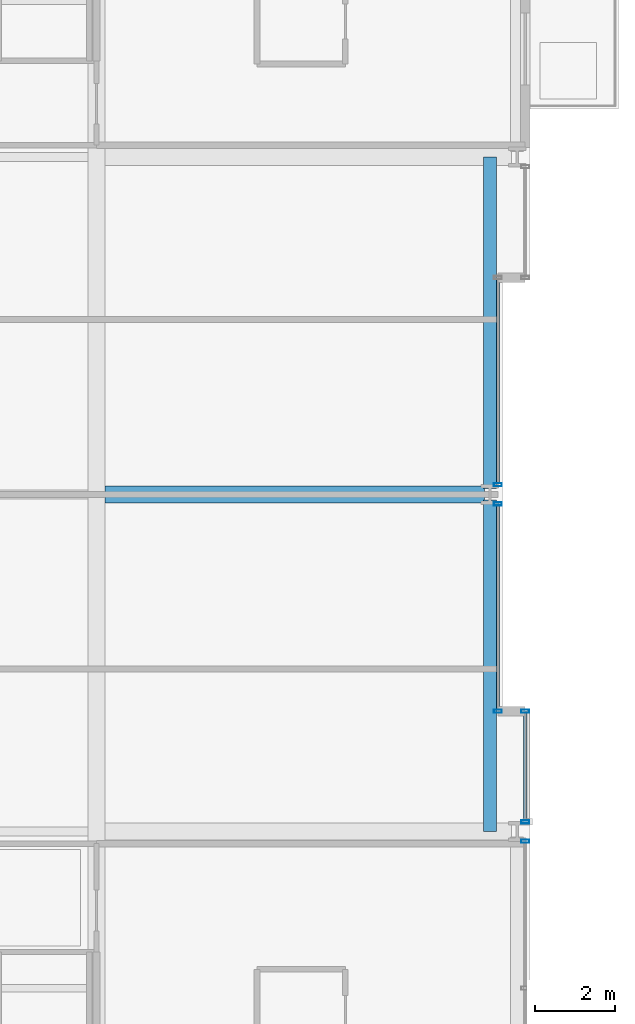
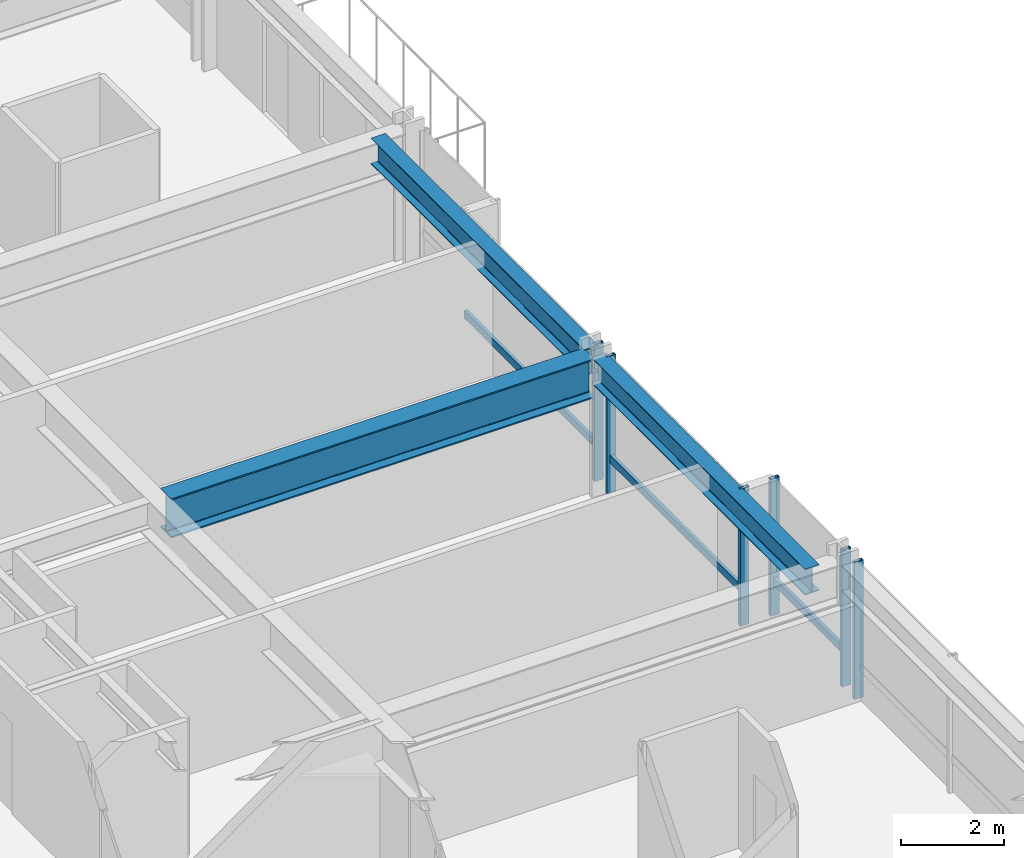
# One storey, part 16 of 38: 9 members, 3 beams, 4 elements without a shape of their own.
"""IFC4 building model written with IfcOpenShell, lengths in metres."""

from ifc_helpers import new_model, si_unit, direction, frame, origin, origin_2d, place, context, subcontext, project, spatial, hollow_rectangle, i_section, extrude, material, layer, layer_set, material_profile, profile_set, type_object, element, aggregate, save


model = new_model("IFC4")

# Units and contexts
model_context = context("Model", 3, precision=1e-05, world=origin(), true_north=direction((0.0, 1.0)))
body_context = subcontext(model_context, "Body", "Model", "MODEL_VIEW")
ifc_project = project(units=[si_unit("LENGTHUNIT", "METRE"), si_unit("AREAUNIT", "SQUARE_METRE"), si_unit("VOLUMEUNIT", "CUBIC_METRE"), si_unit("PLANEANGLEUNIT", "RADIAN"), si_unit("MASSUNIT", "GRAM", prefix="KILO")], contexts=[model_context])

# Site, building, storey
site_placement = place(None, origin())
site = spatial("IfcSite", under=ifc_project, at=site_placement, CompositionType="ELEMENT")
building_placement = place(site_placement, origin())
building = spatial("IfcBuilding", under=site, at=building_placement, Name="Drelvath Grand Hotel", CompositionType="ELEMENT")
storey_placement = place(building_placement, frame((0.0, 0.0, 47.199951171875)))
storey = spatial("IfcBuildingStorey", under=building, at=storey_placement, Name="L10", CompositionType="ELEMENT", Elevation=47.199951171875)

# Curtain wall, member
ifc_material_1 = material(Name="Warm Bronze Anodised Aluminium Frame", Category="aluminium")
ifc_layer = layer(ifc_material_1, 0.199951171875)
ifc_layer_set = layer_set([ifc_layer], Name="Warm Bronze Anodised Aluminium Frame")
curtain_wall_type = type_object("IfcCurtainWallType", Name="Stick Curtain Wall CW-02 Warm Bronze Low-Rise", PredefinedType="NOTDEFINED", material=ifc_layer_set)
curtain_wall_1_placement = place(storey_placement, origin())
curtain_wall_1 = element("IfcCurtainWall", 1, at=curtain_wall_1_placement, inside=storey, type_object=curtain_wall_type, Name="L10 CW-02 Curtain Wall CW02-L10-EM1", PredefinedType="NOTDEFINED")
ifc_material_profile_1 = material_profile(ifc_material_1, hollow_rectangle(XDim=0.074951171875, YDim=0.179931640625, WallThickness=0.0048828125, at=origin_2d()), Name="HSS180X75X5")
ifc_profile_set_1 = profile_set([ifc_material_profile_1], Name="Warm Bronze Anodised Aluminium Frame")
member_type_1 = type_object("IfcMemberType", Name="Curtain Wall Horizontal Transom CW-02 HSS180X75X5", PredefinedType="USERDEFINED", material=ifc_profile_set_1)
member_1_placement = place(storey_placement, frame((26.199951171875, 26.718994140625, 0.81005859375), z_axis=(0.0, -1.0, 0.0), x_axis=(1.0, 0.0, 0.0)))
member_1 = element("IfcMember", 2, at=member_1_placement, type_object=member_type_1, Name="CW02-L10-EM1 Sill Transom", ObjectType="TRANSOM", PredefinedType="USERDEFINED", context=body_context, shape_type="SweptSolid", body=[
    extrude(hollow_rectangle(XDim=0.074951171875, YDim=0.179931640625, WallThickness=0.0048828125, at=origin_2d()), origin(), (0.0, 0.0, 1.0), 5.0791015625),
])

curtain_wall_2_placement = place(storey_placement, origin())
curtain_wall_2 = element("IfcCurtainWall", 3, at=curtain_wall_2_placement, inside=storey, type_object=curtain_wall_type, Name="L10 CW-02 Curtain Wall CW02-L10-EM2", PredefinedType="NOTDEFINED")
member_2_placement = place(storey_placement, frame((26.199951171875, 32.360107421875, 0.81005859375), z_axis=(0.0, -1.0, 0.0), x_axis=(1.0, 0.0, 0.0)))
member_2 = element("IfcMember", 4, at=member_2_placement, type_object=member_type_1, Name="CW02-L10-EM2 Sill Transom", ObjectType="TRANSOM", PredefinedType="USERDEFINED", context=body_context, shape_type="SweptSolid", body=[
    extrude(hollow_rectangle(XDim=0.074951171875, YDim=0.179931640625, WallThickness=0.0048828125, at=origin_2d()), origin(), (0.0, 0.0, 1.0), 5.0791015625),
])

curtain_wall_3_placement = place(storey_placement, origin())
curtain_wall_3 = element("IfcCurtainWall", 5, at=curtain_wall_3_placement, inside=storey, type_object=curtain_wall_type, Name="L10 CW-02 Curtain Wall CW02-L10-ES3", PredefinedType="NOTDEFINED")
member_3_placement = place(storey_placement, frame((26.8798828125, 21.56005859375, 0.81005859375), z_axis=(0.0, -1.0, 0.0), x_axis=(1.0, 0.0, 0.0)))
member_3 = element("IfcMember", 6, at=member_3_placement, type_object=member_type_1, Name="CW02-L10-ES3 Sill Transom", ObjectType="TRANSOM", PredefinedType="USERDEFINED", context=body_context, shape_type="SweptSolid", body=[
    extrude(hollow_rectangle(XDim=0.074951171875, YDim=0.179931640625, WallThickness=0.0048828125, at=origin_2d()), origin(), (0.0, 0.0, 1.0), 2.67919921875),
])

# Member
ifc_material_profile_2 = material_profile(ifc_material_1, hollow_rectangle(XDim=0.080078125, YDim=0.199951171875, WallThickness=0.0048828125, at=origin_2d()), Name="HSS200X80X5")
ifc_profile_set_2 = profile_set([ifc_material_profile_2], Name="Warm Bronze Anodised Aluminium Frame")
member_type_2 = type_object("IfcMemberType", Name="Curtain Wall Vertical Mullion CW-02 HSS200X80X5", PredefinedType="MULLION", material=ifc_profile_set_2)
member_4_placement = place(storey_placement, frame((26.199951171875, 26.759033203125, 0.0), z_axis=(0.0, 0.0, 1.0), x_axis=(0.0, 1.0, 0.0)))
member_4 = element("IfcMember", 7, at=member_4_placement, type_object=member_type_2, Name="CW02-L10-EM1 Mullion 1", PredefinedType="MULLION", context=body_context, shape_type="SweptSolid", body=[
    extrude(hollow_rectangle(XDim=0.080078125, YDim=0.199951171875, WallThickness=0.0048828125, at=origin_2d()), origin(), (0.0, 0.0, 1.0), 3.239990234375),
])

member_5_placement = place(storey_placement, frame((26.199951171875, 21.60009765625, 0.0), z_axis=(0.0, 0.0, 1.0), x_axis=(0.0, 1.0, 0.0)))
member_5 = element("IfcMember", 8, at=member_5_placement, type_object=member_type_2, Name="CW02-L10-EM1 Mullion 2", PredefinedType="MULLION", context=body_context, shape_type="SweptSolid", body=[
    extrude(hollow_rectangle(XDim=0.080078125, YDim=0.199951171875, WallThickness=0.0048828125, at=origin_2d()), origin(), (0.0, 0.0, 1.0), 3.239990234375),
])

aggregate(curtain_wall_1, [member_4, member_5, member_1])

member_6_placement = place(storey_placement, frame((26.199951171875, 27.240966796875, 0.0), z_axis=(0.0, 0.0, 1.0), x_axis=(0.0, 1.0, 0.0)))
member_6 = element("IfcMember", 9, at=member_6_placement, type_object=member_type_2, Name="CW02-L10-EM2 Mullion 2", PredefinedType="MULLION", context=body_context, shape_type="SweptSolid", body=[
    extrude(hollow_rectangle(XDim=0.080078125, YDim=0.199951171875, WallThickness=0.0048828125, at=origin_2d()), origin(), (0.0, 0.0, 1.0), 3.239990234375),
])

aggregate(curtain_wall_2, [member_6, member_2])

# Curtain wall, member
curtain_wall_4_placement = place(storey_placement, origin())
curtain_wall_4 = element("IfcCurtainWall", 10, at=curtain_wall_4_placement, inside=storey, type_object=curtain_wall_type, Name="L10 CW-02 Curtain Wall CW02-L10-ES2", PredefinedType="NOTDEFINED")
member_7_placement = place(storey_placement, frame((26.8798828125, 18.359130859375, 0.0), z_axis=(0.0, 0.0, 1.0), x_axis=(0.0, 1.0, 0.0)))
member_7 = element("IfcMember", 11, at=member_7_placement, type_object=member_type_2, Name="CW02-L10-ES2 Mullion 1", PredefinedType="MULLION", context=body_context, shape_type="SweptSolid", body=[
    extrude(hollow_rectangle(XDim=0.080078125, YDim=0.199951171875, WallThickness=0.0048828125, at=origin_2d()), origin(), (0.0, 0.0, 1.0), 3.239990234375),
])
aggregate(curtain_wall_4, [member_7])

# Member
member_8_placement = place(storey_placement, frame((26.8798828125, 21.60009765625, 0.0), z_axis=(0.0, 0.0, 1.0), x_axis=(0.0, 1.0, 0.0)))
member_8 = element("IfcMember", 12, at=member_8_placement, type_object=member_type_2, Name="CW02-L10-ES3 Mullion 1", PredefinedType="MULLION", context=body_context, shape_type="SweptSolid", body=[
    extrude(hollow_rectangle(XDim=0.080078125, YDim=0.199951171875, WallThickness=0.0048828125, at=origin_2d()), origin(), (0.0, 0.0, 1.0), 3.239990234375),
])

member_9_placement = place(storey_placement, frame((26.8798828125, 18.8408203125, 0.0), z_axis=(0.0, 0.0, 1.0), x_axis=(0.0, 1.0, 0.0)))
member_9 = element("IfcMember", 13, at=member_9_placement, type_object=member_type_2, Name="CW02-L10-ES3 Mullion 2", PredefinedType="MULLION", context=body_context, shape_type="SweptSolid", body=[
    extrude(hollow_rectangle(XDim=0.080078125, YDim=0.199951171875, WallThickness=0.0048828125, at=origin_2d()), origin(), (0.0, 0.0, 1.0), 3.239990234375),
])

aggregate(curtain_wall_3, [member_8, member_9, member_3])

# Beams
ifc_material_2 = material(Name="Steel ASTM A992 Gr 50", Category="steel")
ifc_material_profile_3 = material_profile(ifc_material_2, i_section(OverallWidth=0.323974609375, OverallDepth=0.611083984375, WebThickness=0.0126953125, FlangeThickness=0.01904296875, FilletRadius=0.02197265625, at=origin_2d()), Name="W24X104")
ifc_profile_set_3 = profile_set([ifc_material_profile_3], Name="Steel ASTM A992 Gr 50")
beam_type_1 = type_object("IfcBeamType", Name="Perimeter Spandrel Beam W24X104", PredefinedType="SPANDREL", material=ifc_profile_set_3)
for number, where, z_axis, x_axis, name in (
    (14, (26.0, 18.60009765625, 2.9345703125), (0.0, 1.0, 0.0), (-1.0, 0.0, 0.0), "L10 Spandrel East Mid S"),
    (15, (26.0, 27.139892578125, 2.9345703125), (0.0, 1.0, 0.0), (-1.0, 0.0, 0.0), "L10 Spandrel East Mid N"),
):
    element("IfcBeam", number, at=place(storey_placement, frame(where, z_axis=z_axis, x_axis=x_axis)), inside=storey, type_object=beam_type_1, Name=name, PredefinedType="SPANDREL", context=body_context, shape_type="SweptSolid", body=[
        extrude(i_section(OverallWidth=0.323974609375, OverallDepth=0.611083984375, WebThickness=0.0126953125, FlangeThickness=0.01904296875, FilletRadius=0.02197265625, at=origin_2d()), origin(), (0.0, 0.0, 1.0), 8.260009765625),
    ])
ifc_material_profile_4 = material_profile(ifc_material_2, i_section(OverallWidth=0.418212890625, OverallDepth=0.926513671875, WebThickness=0.019287109375, FlangeThickness=0.031982421875, FilletRadius=0.028076171875, at=origin_2d()), Name="W36X231")
ifc_profile_set_4 = profile_set([ifc_material_profile_4], Name="Steel ASTM A992 Gr 50")
beam_type_2 = type_object("IfcBeamType", Name="Primary Floor Girder W36X231", PredefinedType="BEAM", material=ifc_profile_set_4)
beam_placement = place(storey_placement, frame((16.4091796875, 27.0, 2.77685546875), z_axis=(1.0, 0.0, 0.0), x_axis=(0.0, 1.0, 0.0)))
element("IfcBeam", 16, at=beam_placement, inside=storey, type_object=beam_type_2, Name="L10 East Wing Girder E", PredefinedType="BEAM", context=body_context, shape_type="SweptSolid", body=[
    extrude(i_section(OverallWidth=0.418212890625, OverallDepth=0.926513671875, WebThickness=0.019287109375, FlangeThickness=0.031982421875, FilletRadius=0.028076171875, at=origin_2d()), origin(), (0.0, 0.0, 1.0), 9.450927734375),
])

save(model, "model.ifc")
